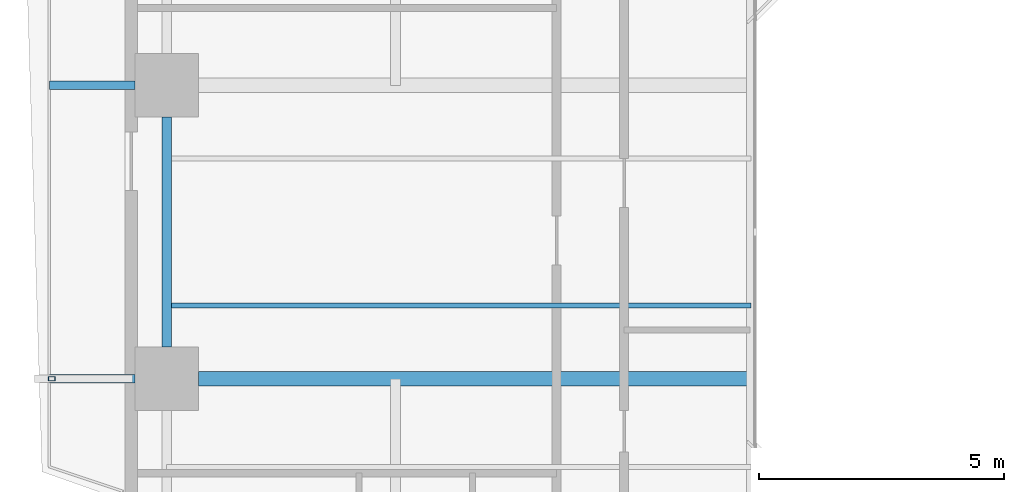
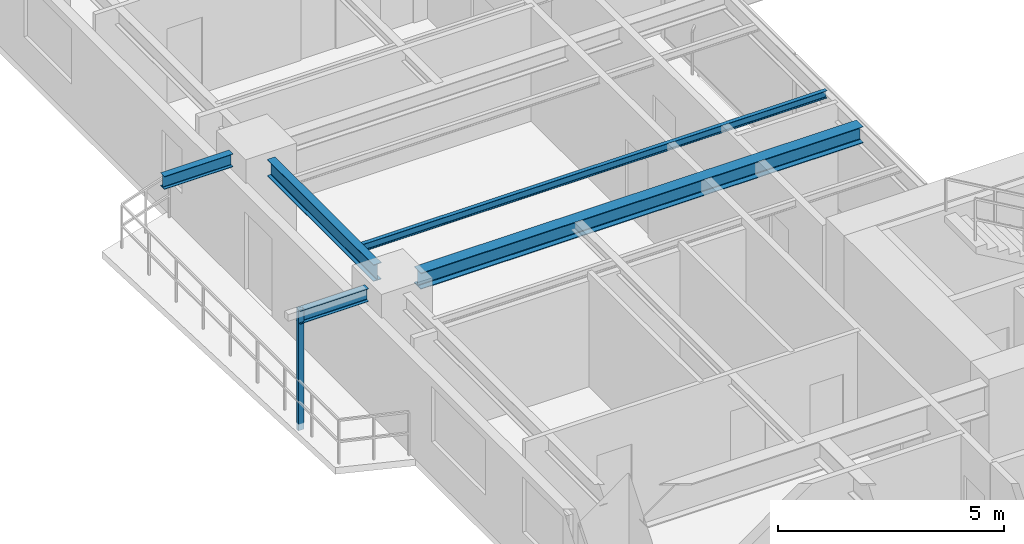
# One storey, part 3 of 22: 5 beams, 1 member.
"""IFC4 building model written with IfcOpenShell, lengths in metres."""

from ifc_helpers import new_model, si_unit, direction, frame, origin, origin_2d, place, context, subcontext, project, spatial, hollow_rectangle, i_section, extrude, source, transform, mapped, material, material_profile, profile_set, type_object, element, save


model = new_model("IFC4")

# Units and contexts
model_context = context("Model", 3, precision=1e-05, world=origin(), true_north=direction((0.0, 1.0)))
body_context = subcontext(model_context, "Body", "Model", "MODEL_VIEW")
ifc_project = project(units=[si_unit("LENGTHUNIT", "METRE"), si_unit("AREAUNIT", "SQUARE_METRE"), si_unit("VOLUMEUNIT", "CUBIC_METRE"), si_unit("PLANEANGLEUNIT", "RADIAN"), si_unit("MASSUNIT", "GRAM", prefix="KILO"), si_unit("THERMODYNAMICTEMPERATUREUNIT", "KELVIN"), si_unit("POWERUNIT", "WATT")], contexts=[model_context])

# Site, building, storey
site_placement = place(None, origin())
site = spatial("IfcSite", under=ifc_project, at=site_placement, CompositionType="ELEMENT")
building_placement = place(site_placement, origin())
building = spatial("IfcBuilding", under=site, at=building_placement, Name="Qiaomeng Ring Towers", CompositionType="ELEMENT")
storey_placement = place(building_placement, frame((0.0, 0.0, 53.5)))
storey = spatial("IfcBuildingStorey", under=building, at=storey_placement, Name="L14", CompositionType="ELEMENT", Elevation=53.5)

# Beams
ifc_material_1 = material(Name="Steel Q355B", Category="steel")
ifc_material_profile_1 = material_profile(ifc_material_1, i_section(OverallWidth=0.199951171875, OverallDepth=0.449951171875, WebThickness=0.009033203125, FlangeThickness=0.013916015625, FilletRadius=0.01806640625, at=origin_2d()), Name="HN 450x200x9x14")
ifc_profile_set_1 = profile_set([ifc_material_profile_1], Name="Steel Q355B")
beam_type_1 = type_object("IfcBeamType", Name="STR-BM-HN450", PredefinedType="SPANDREL", material=ifc_profile_set_1)
shared_shape_1 = source(origin(), body_context, "Body", "SweptSolid", [
    extrude(i_section(OverallWidth=0.199951171875, OverallDepth=0.449951171875, WebThickness=0.009033203125, FlangeThickness=0.013916015625, FilletRadius=0.01806640625, at=origin_2d()), origin(), (0.0, 0.0, 1.0), 4.7021484375),
])
beam_1_placement = place(storey_placement, frame((0.85009765625, 25.35107421875, 2.844970703125), z_axis=(0.0, -1.0, 0.0), x_axis=(1.0, 0.0, 0.0)))
element("IfcBeam", 1, at=beam_1_placement, inside=storey, type_object=beam_type_1, Name="L14 beam STR-SP-L14-T1-W3-W2", PredefinedType="SPANDREL", context=body_context, shape_type="MappedRepresentation", body=[
    mapped(shared_shape_1, transform((0.0, 0.0, 0.0), x_axis=(1.0, 0.0, 0.0), y_axis=(0.0, 1.0, 0.0), z_axis=(0.0, 0.0, 1.0), scale=1.0)),
])
ifc_material_profile_2 = material_profile(ifc_material_1, i_section(OverallWidth=0.300048828125, OverallDepth=0.43994140625, WebThickness=0.010986328125, FlangeThickness=0.01806640625, FilletRadius=0.02392578125, at=origin_2d()), Name="HM 440x300x11x18")
ifc_profile_set_2 = profile_set([ifc_material_profile_2], Name="Steel Q355B")
beam_type_2 = type_object("IfcBeamType", Name="STR-BM-HM440", PredefinedType="BEAM", material=ifc_profile_set_2)
shared_shape_2 = source(origin(), body_context, "Body", "SweptSolid", [
    extrude(i_section(OverallWidth=0.300048828125, OverallDepth=0.43994140625, WebThickness=0.010986328125, FlangeThickness=0.01806640625, FilletRadius=0.02392578125, at=origin_2d()), origin(), (0.0, 0.0, 1.0), 11.301025390625),
])
beam_2_placement = place(storey_placement, frame((1.4990234375, 20.0, 2.85009765625), z_axis=(1.0, 0.0, 0.0), x_axis=(0.0, 1.0, 0.0)))
element("IfcBeam", 2, at=beam_2_placement, inside=storey, type_object=beam_type_2, Name="L14 beam STR-BM-L14-T1-RAD-W2", PredefinedType="BEAM", context=body_context, shape_type="MappedRepresentation", body=[
    mapped(shared_shape_2, transform((0.0, 0.0, 0.0), x_axis=(1.0, 0.0, 0.0), y_axis=(0.0, 1.0, 0.0), z_axis=(0.0, 0.0, 1.0), scale=1.0)),
])
ifc_material_profile_3 = material_profile(ifc_material_1, i_section(OverallWidth=0.175048828125, OverallDepth=0.35009765625, WebThickness=0.007080078125, FlangeThickness=0.010986328125, FilletRadius=0.013916015625, at=origin_2d()), Name="HN 350x175x7x11")
ifc_profile_set_3 = profile_set([ifc_material_profile_3], Name="Steel Q355B")
beam_type_3 = type_object("IfcBeamType", Name="STR-BM-HN350", PredefinedType="JOIST", material=ifc_profile_set_3)
shared_shape_3 = source(origin(), body_context, "Body", "SweptSolid", [
    extrude(i_section(OverallWidth=0.175048828125, OverallDepth=0.35009765625, WebThickness=0.007080078125, FlangeThickness=0.010986328125, FilletRadius=0.013916015625, at=origin_2d()), origin(), (0.0, 0.0, 1.0), 1.7509765625),
])
for number, where, z_axis, x_axis, name in (
    (3, (-1.550048828125, 20.0, 2.89501953125), (1.0, 0.0, 0.0), (0.0, 1.0, 0.0), "L14 beam STR-BALBM-L14-W2"),
    (4, (-1.550048828125, 26.0, 2.89501953125), (1.0, 0.0, 0.0), (0.0, 1.0, 0.0), "L14 beam STR-BALBM-L14-W3"),
):
    element("IfcBeam", number, at=place(storey_placement, frame(where, z_axis=z_axis, x_axis=x_axis)), inside=storey, type_object=beam_type_3, Name=name, PredefinedType="JOIST", context=body_context, shape_type="MappedRepresentation", body=[
        mapped(shared_shape_3, transform((0.0, 0.0, 0.0), x_axis=(1.0, 0.0, 0.0), y_axis=(0.0, 1.0, 0.0), z_axis=(0.0, 0.0, 1.0), scale=1.0)),
    ])
ifc_material_profile_4 = material_profile(ifc_material_1, i_section(OverallWidth=0.10009765625, OverallDepth=0.199951171875, WebThickness=0.005615234375, FlangeThickness=0.008056640625, FilletRadius=0.010986328125, at=origin_2d()), Name="HN 200x100x5.5x8")
ifc_profile_set_4 = profile_set([ifc_material_profile_4], Name="Steel Q355B")
beam_type_4 = type_object("IfcBeamType", Name="STR-BM-HN200", PredefinedType="JOIST", material=ifc_profile_set_4)
shared_shape_4 = source(origin(), body_context, "Body", "SweptSolid", [
    extrude(i_section(OverallWidth=0.10009765625, OverallDepth=0.199951171875, WebThickness=0.005615234375, FlangeThickness=0.008056640625, FilletRadius=0.010986328125, at=origin_2d()), origin(), (0.0, 0.0, 1.0), 11.949951171875),
])
beam_3_placement = place(storey_placement, frame((0.85009765625, 21.5, 2.969970703125), z_axis=(1.0, 0.0, 0.0), x_axis=(0.0, 1.0, 0.0)))
element("IfcBeam", 5, at=beam_3_placement, inside=storey, type_object=beam_type_4, Name="L14 beam STR-JST-L14-T1W-2", PredefinedType="JOIST", context=body_context, shape_type="MappedRepresentation", body=[
    mapped(shared_shape_4, transform((0.0, 0.0, 0.0), x_axis=(1.0, 0.0, 0.0), y_axis=(0.0, 1.0, 0.0), z_axis=(0.0, 0.0, 1.0), scale=1.0)),
])

# Member
ifc_material_2 = material(Name="Stainless steel 316", Category="steel")
ifc_material_profile_5 = material_profile(ifc_material_2, hollow_rectangle(XDim=0.090087890625, YDim=0.139892578125, WallThickness=0.0048828125, at=origin_2d()), Name="SS TRELLIS 90x140")
ifc_profile_set_5 = profile_set([ifc_material_profile_5], Name="Stainless steel 316")
member_type = type_object("IfcMemberType", Name="ARC-TR-POST1", PredefinedType="STUD", material=ifc_profile_set_5)
shared_shape_5 = source(origin(), body_context, "Body", "SweptSolid", [
    extrude(hollow_rectangle(XDim=0.090087890625, YDim=0.139892578125, WallThickness=0.0048828125, at=origin_2d()), origin(), (0.0, 0.0, 1.0), 3.25),
])
member_placement = place(storey_placement, frame((-1.5, 20.0, -0.179931640625), z_axis=(0.0, 0.0, 1.0), x_axis=(0.0, 1.0, 0.0)))
element("IfcMember", 6, at=member_placement, inside=storey, type_object=member_type, Name="L14 Outer Ventilated Trellis Post W", PredefinedType="STUD", context=body_context, shape_type="MappedRepresentation", body=[
    mapped(shared_shape_5, transform((0.0, 0.0, 0.0), x_axis=(1.0, 0.0, 0.0), y_axis=(0.0, 1.0, 0.0), z_axis=(0.0, 0.0, 1.0), scale=1.0)),
])

save(model, "model.ifc")
